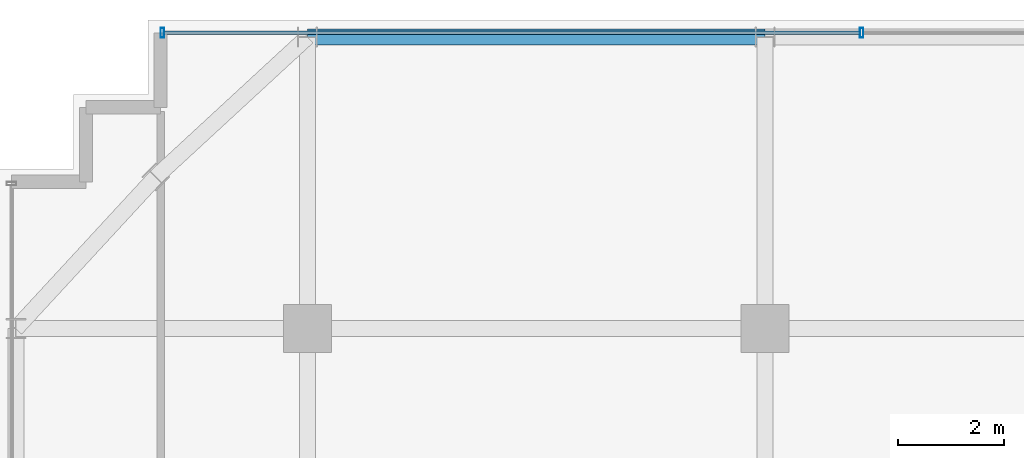
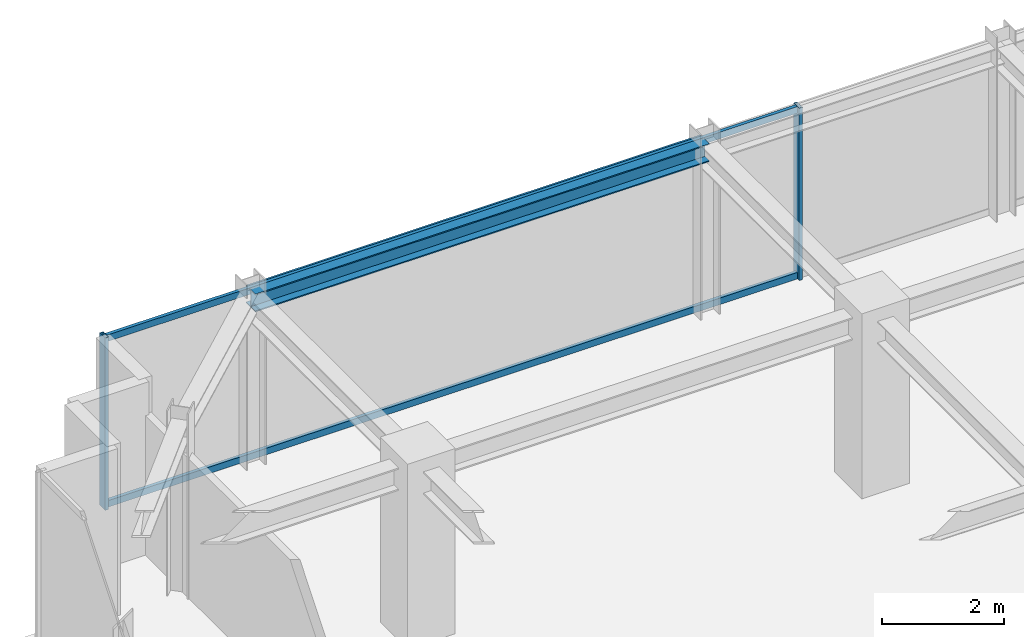
# One storey, part 19 of 33: 4 members, 1 beam, 1 element without a shape of its own.
"""IFC4 building model written with IfcOpenShell, lengths in metres."""

from ifc_helpers import new_model, si_unit, direction, frame, origin, origin_2d, place, context, subcontext, project, spatial, hollow_rectangle, i_section, extrude, source, transform, mapped, material, material_profile, profile_set, type_object, element, aggregate, save


model = new_model("IFC4")

# Units and contexts
model_context = context("Model", 3, precision=1e-05, world=origin(), true_north=direction((0.0, 1.0)))
body_context = subcontext(model_context, "Body", "Model", "MODEL_VIEW")
ifc_project = project(units=[si_unit("LENGTHUNIT", "METRE"), si_unit("AREAUNIT", "SQUARE_METRE"), si_unit("VOLUMEUNIT", "CUBIC_METRE"), si_unit("PLANEANGLEUNIT", "RADIAN"), si_unit("MASSUNIT", "GRAM", prefix="KILO")], contexts=[model_context])

# Site, building, storey
site_placement = place(None, origin())
site = spatial("IfcSite", under=ifc_project, at=site_placement, CompositionType="ELEMENT")
building_placement = place(site_placement, origin())
building = spatial("IfcBuilding", under=site, at=building_placement, Name="Nahalor Promenade Grand Hotel", CompositionType="ELEMENT")
storey_placement = place(building_placement, frame((0.0, 0.0, 270.050048828125)))
storey = spatial("IfcBuildingStorey", under=building, at=storey_placement, Name="L69", CompositionType="ELEMENT", Elevation=270.050048828125)

# Beam
ifc_material_1 = material(Name="Steel S355JR", Category="steel")
ifc_material_profile_1 = material_profile(ifc_material_1, i_section(OverallWidth=0.3, OverallDepth=0.36, WebThickness=0.0125, FlangeThickness=0.0225, at=origin_2d()), Name="HEB 360")
ifc_profile_set_1 = profile_set([ifc_material_profile_1], Name="Steel S355JR")
beam_type = type_object("IfcBeamType", Name="Beam-Spandrel-HEB360", PredefinedType="SPANDREL", material=ifc_profile_set_1)
shared_shape_1 = source(origin(), body_context, "Body", "SweptSolid", [
    extrude(i_section(OverallWidth=0.3, OverallDepth=0.36, WebThickness=0.0125, FlangeThickness=0.0225, at=origin_2d()), origin(), (0.0, 0.0, 1.0), 8.60009765625),
])
beam_placement = place(storey_placement, frame((-17.0, 22.47998046875, 3.27001953125), z_axis=(1.0, 0.0, 0.0), x_axis=(0.0, 1.0, 0.0)))
element("IfcBeam", 1, at=beam_placement, inside=storey, type_object=beam_type, Name="BM-L69-SP-N-0", PredefinedType="SPANDREL", context=body_context, shape_type="MappedRepresentation", body=[
    mapped(shared_shape_1, transform((0.0, 0.0, 0.0), scale=1.0)),
])

# Curtain wall, members
ifc_material_2 = material(Name="Anodised Bronze Aluminium EN AW-6063 T6", Category="aluminium")
curtain_wall_type = type_object("IfcCurtainWallType", Name="CW2 Typical Hotel Flush Bronze Unitised Curtain Wall", PredefinedType="USERDEFINED", material=ifc_material_2)
curtain_wall_placement = place(storey_placement, origin())
curtain_wall = element("IfcCurtainWall", 2, at=curtain_wall_placement, inside=storey, type_object=curtain_wall_type, Name="L69 Curtain Wall CW-L69-N-1", ObjectType="UNITISED_CURTAIN_WALL", PredefinedType="USERDEFINED")
ifc_material_profile_2 = material_profile(ifc_material_2, hollow_rectangle(XDim=0.065, YDim=0.13, WallThickness=0.004, at=origin_2d()), Name="CWT 65x130x4")
ifc_profile_set_2 = profile_set([ifc_material_profile_2], Name="Anodised Bronze Aluminium EN AW-6063 T6")
member_type_1 = type_object("IfcMemberType", Name="CWT2 Typical Bronze Transom 65x130", PredefinedType="USERDEFINED", material=ifc_profile_set_2)
shared_shape_2 = source(origin(), body_context, "Body", "SweptSolid", [
    extrude(hollow_rectangle(XDim=0.065, YDim=0.13, WallThickness=0.004, at=origin_2d()), origin(), (0.0, 0.0, 1.0), 13.075927734375),
])
member_1_placement = place(storey_placement, frame((-19.695068359375, 22.56005859375, 0.06494140625), z_axis=(1.0, 0.0, 0.0), x_axis=(0.0, 1.0, 0.0)))
member_1 = element("IfcMember", 3, at=member_1_placement, type_object=member_type_1, Name="CW-L69-N-1 Transom 0-0", ObjectType="TRANSOM", PredefinedType="USERDEFINED", context=body_context, shape_type="MappedRepresentation", body=[
    mapped(shared_shape_2, transform((0.0, 0.0, 0.0), scale=1.0)),
])
member_2_placement = place(storey_placement, frame((-19.695068359375, 22.56005859375, 3.385009765625), z_axis=(1.0, 0.0, 0.0), x_axis=(0.0, 1.0, 0.0)))
member_2 = element("IfcMember", 4, at=member_2_placement, type_object=member_type_1, Name="CW-L69-N-1 Transom 0-1", ObjectType="TRANSOM", PredefinedType="USERDEFINED", context=body_context, shape_type="MappedRepresentation", body=[
    mapped(shared_shape_2, transform((0.0, 0.0, 0.0), scale=1.0)),
])
ifc_material_profile_3 = material_profile(ifc_material_2, hollow_rectangle(XDim=0.065, YDim=0.18, WallThickness=0.004, at=origin_2d()), Name="CWM 65x180x4")
ifc_profile_set_3 = profile_set([ifc_material_profile_3], Name="Anodised Bronze Aluminium EN AW-6063 T6")
member_type_2 = type_object("IfcMemberType", Name="CWM2 Typical Bronze Mullion 65x180", PredefinedType="MULLION", material=ifc_profile_set_3)
shared_shape_3 = source(origin(), body_context, "Body", "SweptSolid", [
    extrude(hollow_rectangle(XDim=0.065, YDim=0.18, WallThickness=0.004, at=origin_2d()), origin(), (0.0, 0.0, 1.0), 3.449951171875),
])
member_3_placement = place(storey_placement, frame((-19.7275390625, 22.56005859375, 0.0), z_axis=(0.0, 0.0, 1.0), x_axis=(1.0, 0.0, 0.0)))
member_3 = element("IfcMember", 5, at=member_3_placement, type_object=member_type_2, Name="CW-L69-N-1 Mullion 0", PredefinedType="MULLION", context=body_context, shape_type="MappedRepresentation", body=[
    mapped(shared_shape_3, transform((0.0, 0.0, 0.0), scale=1.0)),
])
member_4_placement = place(storey_placement, frame((-6.586669921875, 22.56005859375, 0.0), z_axis=(0.0, 0.0, 1.0), x_axis=(1.0, 0.0, 0.0)))
member_4 = element("IfcMember", 6, at=member_4_placement, type_object=member_type_2, Name="CW-L69-N-1 Mullion 1", PredefinedType="MULLION", context=body_context, shape_type="MappedRepresentation", body=[
    mapped(shared_shape_3, transform((0.0, 0.0, 0.0), scale=1.0)),
])
aggregate(curtain_wall, [member_3, member_4, member_1, member_2])

save(model, "model.ifc")
